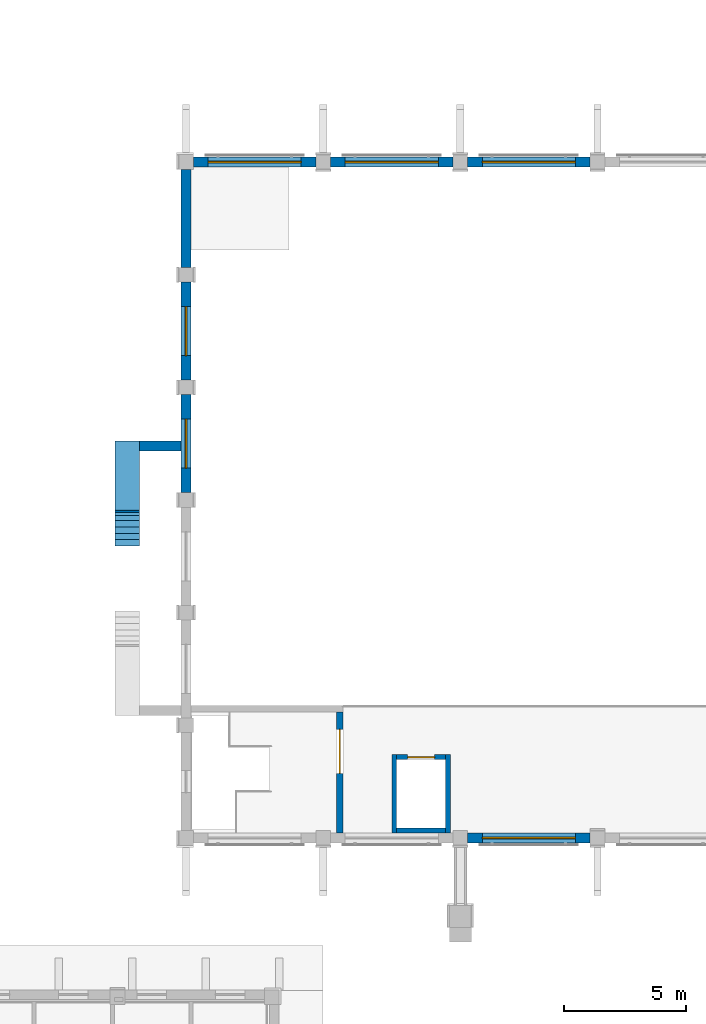
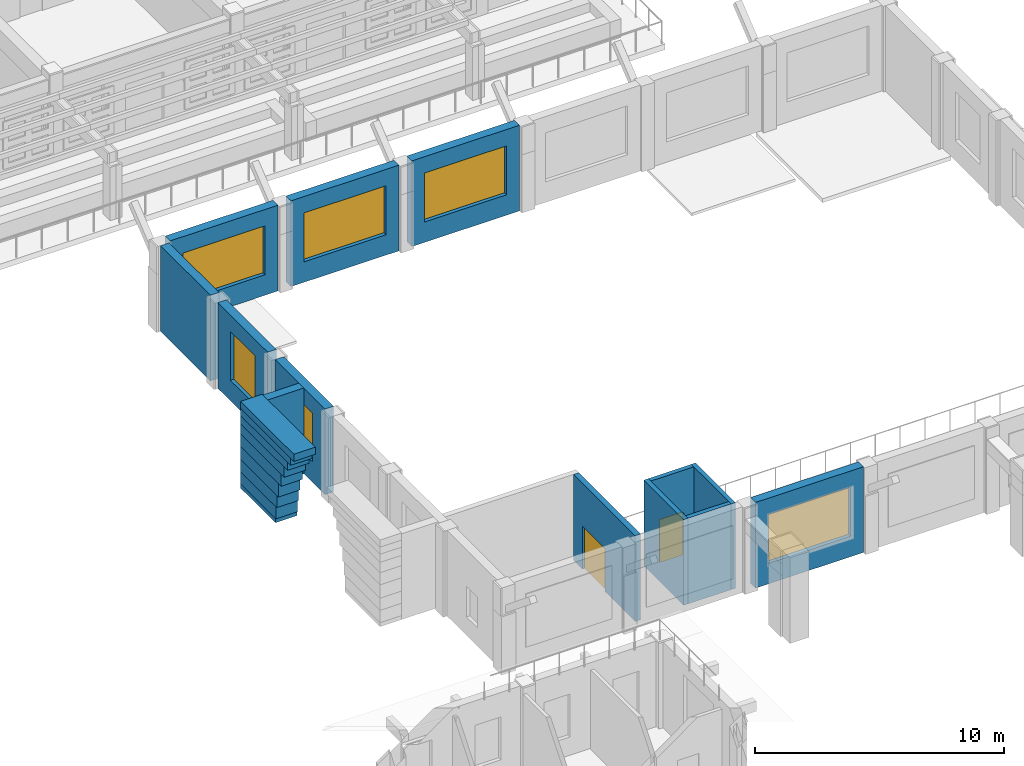
# One storey, part 26 of 68: 22 walls, 6 windows, 2 doors, 8 openings.
"""IFC4 building model written with IfcOpenShell, lengths in metres."""

from ifc_helpers import new_model, si_unit, direction, frame, frame_2d, origin, place, context, subcontext, project, spatial, rectangle, extrude, material, layer, layer_set, type_object, element, fill, save


model = new_model("IFC4")

# Units and contexts
model_context = context("Model", 3, precision=1e-05, world=origin(), true_north=direction((0.0, 1.0)))
body_context = subcontext(model_context, "Body", "Model", "MODEL_VIEW")
ifc_project = project(units=[si_unit("LENGTHUNIT", "METRE"), si_unit("AREAUNIT", "SQUARE_METRE"), si_unit("VOLUMEUNIT", "CUBIC_METRE"), si_unit("PLANEANGLEUNIT", "RADIAN"), si_unit("MASSUNIT", "GRAM", prefix="KILO")], contexts=[model_context])

# Site, building, storey
site_placement = place(None, origin())
site = spatial("IfcSite", under=ifc_project, at=site_placement, CompositionType="ELEMENT")
building_placement = place(site_placement, origin())
building = spatial("IfcBuilding", under=site, at=building_placement, Name="Wasatch Bagh Community Centre", CompositionType="ELEMENT")
storey_placement = place(building_placement, frame((0.0, 0.0, 8.39990234375)))
storey = spatial("IfcBuildingStorey", under=building, at=storey_placement, Name="L02", CompositionType="ELEMENT", Elevation=8.39990234375)

# Walls
ifc_material_1 = material(Name="Concrete C40", Category="concrete")
ifc_layer_1 = layer(ifc_material_1, 0.199951171875)
ifc_layer_set_1 = layer_set([ifc_layer_1], Name="Concrete C40")
wall_type_1 = type_object("IfcWallType", Name="SH RC WALL 200 shear", PredefinedType="SHEAR", material=ifc_layer_set_1)
for number, where, z_axis, x_axis, name in (
    (1, (120.699951171875, 38.39990234375, 0.0), (0.0, 0.0, 1.0), (0.0, 1.0, 0.0), "SH.core.LF1.L02.W"),
    (2, (122.89990234375, 38.39990234375, 0.0), (0.0, 0.0, 1.0), (0.0, 1.0, 0.0), "SH.core.LF1.L02.E"),
):
    element("IfcWall", number, at=place(storey_placement, frame(where, z_axis=z_axis, x_axis=x_axis)), inside=storey, type_object=wall_type_1, Name=name, PredefinedType="SHEAR", context=body_context, shape_type="SweptSolid", body=[
        extrude(rectangle(XDim=3.2001953125, YDim=0.199951171875, at=frame_2d((1.60009765625, 0.0))), origin(), (0.0, 0.0, 1.0), 4.2001953125),
    ])
wall_1_placement = place(storey_placement, frame((120.800048828125, 38.5, 0.0), z_axis=(0.0, 0.0, 1.0), x_axis=(1.0, 0.0, 0.0)))
element("IfcWall", 3, at=wall_1_placement, inside=storey, type_object=wall_type_1, Name="SH.core.LF1.L02.S", PredefinedType="SHEAR", context=body_context, shape_type="SweptSolid", body=[
    extrude(rectangle(XDim=2.0, YDim=0.199951171875, at=frame_2d((1.0, 0.0))), origin(), (0.0, 0.0, 1.0), 4.2001953125),
])

# Wall, opening, door
wall_2_placement = place(storey_placement, frame((120.800048828125, 41.5, 0.0), z_axis=(0.0, 0.0, 1.0), x_axis=(1.0, 0.0, 0.0)))
wall_2 = element("IfcWall", 4, at=wall_2_placement, inside=storey, type_object=wall_type_1, Name="SH.core.LF1.L02.N", PredefinedType="SHEAR", context=body_context, shape_type="SweptSolid", body=[
    extrude(rectangle(XDim=2.0, YDim=0.199951171875, at=frame_2d((1.0, 0.0))), origin(), (0.0, 0.0, 1.0), 4.2001953125),
])
opening_1_placement = place(wall_2_placement, frame((0.449951171875, 0.0, 0.0)))
opening_1 = element("IfcOpeningElement", 5, at=opening_1_placement, cuts=wall_2, Name="Opening 2S-01", PredefinedType="OPENING", context=body_context, shape_type="SweptSolid", body=[
    extrude(rectangle(XDim=1.10009765625, YDim=2.10009765625, at=frame_2d((0.550048828125, 1.050048828125))), frame((0.0, 0.10986328125, 0.0), z_axis=(0.0, -1.0, 0.0), x_axis=(1.0, 0.0, 0.0)), (0.0, 0.0, 1.0), 0.219970703125),
])
ifc_material_2 = material(Name="Stainless steel", Category="steel")
door_type_1 = type_object("IfcDoorType", Name="SH door 1100x2100 landing", OperationType="SLIDING_TO_LEFT", PredefinedType="DOOR", material=ifc_material_2)
door_1_placement = place(opening_1_placement, origin())
door_1 = element("IfcDoor", 6, at=door_1_placement, inside=storey, type_object=door_type_1, Name="SH.door.L02.2S-01", OperationType="SLIDING_TO_LEFT", OverallHeight=2.10009765625, OverallWidth=1.10009765625, PredefinedType="DOOR", context=body_context, shape_type="SweptSolid", body=[
    extrude(rectangle(XDim=1.10009765625, YDim=2.10009765625, at=frame_2d((0.550048828125, 1.050048828125))), frame((0.0, 0.02490234375, 0.0), z_axis=(0.0, -1.0, 0.0), x_axis=(1.0, 0.0, 0.0)), (0.0, 0.0, 1.0), 0.050048828125),
])
fill(opening_1, door_1)

ifc_layer_2 = layer(ifc_material_1, 0.25)
ifc_layer_set_2 = layer_set([ifc_layer_2], Name="Concrete C40")
wall_type_2 = type_object("IfcWallType", Name="SH RC WALL 250 shear", PredefinedType="SHEAR", material=ifc_layer_set_2)
wall_3_placement = place(storey_placement, frame((118.47509765625, 38.39990234375, 0.0), z_axis=(0.0, 0.0, 1.0), x_axis=(0.0, 1.0, 0.0)))
wall_3 = element("IfcWall", 7, at=wall_3_placement, inside=storey, type_object=wall_type_2, Name="SH.core.ST1.L02.E", PredefinedType="SHEAR", context=body_context, shape_type="SweptSolid", body=[
    extrude(rectangle(XDim=4.9501953125, YDim=0.25, at=frame_2d((2.47509765625, 0.0))), origin(), (0.0, 0.0, 1.0), 4.2001953125),
])
opening_2_placement = place(wall_3_placement, frame((2.434326171875, 0.0, 0.0)))
opening_2 = element("IfcOpeningElement", 8, at=opening_2_placement, cuts=wall_3, Name="Opening 2S-02", PredefinedType="OPENING", context=body_context, shape_type="SweptSolid", body=[
    extrude(rectangle(XDim=1.800048828125, YDim=2.10009765625, at=frame_2d((0.89990234375, 1.050048828125))), frame((0.0, 0.135009765625, 0.0), z_axis=(0.0, -1.0, 0.0), x_axis=(1.0, 0.0, 0.0)), (0.0, 0.0, 1.0), 0.27001953125),
])
ifc_material_3 = material(Name="Aluminium frame and glass", Category="aluminium")
door_type_2 = type_object("IfcDoorType", Name="SH door 1800x2100 double", OperationType="DOUBLE_DOOR_SINGLE_SWING", PredefinedType="DOOR", material=ifc_material_3)
door_2_placement = place(opening_2_placement, origin())
door_2 = element("IfcDoor", 9, at=door_2_placement, inside=storey, type_object=door_type_2, Name="SH.door.L02.2S-02", OperationType="DOUBLE_DOOR_SINGLE_SWING", OverallHeight=2.10009765625, OverallWidth=1.800048828125, PredefinedType="DOOR", context=body_context, shape_type="SweptSolid", body=[
    extrude(rectangle(XDim=1.800048828125, YDim=2.10009765625, at=frame_2d((0.89990234375, 1.050048828125))), frame((0.0, 0.02490234375, 0.0), z_axis=(0.0, -1.0, 0.0), x_axis=(1.0, 0.0, 0.0)), (0.0, 0.0, 1.0), 0.050048828125),
])
fill(opening_2, door_2)

# Wall, opening, window
ifc_layer_3 = layer(ifc_material_1, 0.39990234375)
ifc_layer_set_3 = layer_set([ifc_layer_3], Name="Concrete C40")
wall_type_3 = type_object("IfcWallType", Name="SH RC WALL 400 solidwall", PredefinedType="SOLIDWALL", material=ifc_layer_set_3)
wall_4_placement = place(storey_placement, frame((128.699951171875, 38.199951171875, 0.0), z_axis=(0.0, 0.0, 1.0), x_axis=(-1.0, 0.0, 0.0)))
wall_4 = element("IfcWall", 10, at=wall_4_placement, inside=storey, type_object=wall_type_3, Name="SH.wall.L02.03", PredefinedType="SOLIDWALL", context=body_context, shape_type="SweptSolid", body=[
    extrude(rectangle(XDim=5.0, YDim=0.39990234375, at=frame_2d((2.5, 0.0))), origin(), (0.0, 0.0, 1.0), 4.2001953125),
])
opening_3_placement = place(wall_4_placement, frame((0.60009765625, 0.0, 1.0)))
opening_3 = element("IfcOpeningElement", 11, at=opening_3_placement, cuts=wall_4, Name="Opening 2S-W13", PredefinedType="OPENING", context=body_context, shape_type="SweptSolid", body=[
    extrude(rectangle(XDim=3.800048828125, YDim=2.39990234375, at=frame_2d((1.89990234375, 1.199951171875))), frame((0.0, 0.2099609375, 0.0), z_axis=(0.0, -1.0, 0.0), x_axis=(1.0, 0.0, 0.0)), (0.0, 0.0, 1.0), 0.419921875),
])
ifc_material_4 = material(Name="Aluminium frame with double glazing", Category="aluminium")
window_type_1 = type_object("IfcWindowType", Name="SH window 3800x2400", PartitioningType="SINGLE_PANEL", PredefinedType="WINDOW", material=ifc_material_4)
window_1_placement = place(opening_3_placement, origin())
window_1 = element("IfcWindow", 12, at=window_1_placement, inside=storey, type_object=window_type_1, Name="SH.window.L02.2S-W13", OverallHeight=2.39990234375, OverallWidth=3.800048828125, PartitioningType="SINGLE_PANEL", PredefinedType="WINDOW", context=body_context, shape_type="SweptSolid", body=[
    extrude(rectangle(XDim=3.800048828125, YDim=2.39990234375, at=frame_2d((1.89990234375, 1.199951171875))), frame((0.0, 0.030029296875, 0.0), z_axis=(0.0, -1.0, 0.0), x_axis=(1.0, 0.0, 0.0)), (0.0, 0.0, 1.0), 0.06005859375),
])
fill(opening_3, window_1)

wall_5_placement = place(storey_placement, frame((112.5, 65.800048828125, 0.0), z_axis=(0.0, 0.0, 1.0), x_axis=(1.0, 0.0, 0.0)))
wall_5 = element("IfcWall", 13, at=wall_5_placement, inside=storey, type_object=wall_type_3, Name="SH.wall.L02.07", PredefinedType="SOLIDWALL", context=body_context, shape_type="SweptSolid", body=[
    extrude(rectangle(XDim=5.0, YDim=0.39990234375, at=frame_2d((2.5, 0.0))), origin(), (0.0, 0.0, 1.0), 4.2001953125),
])
opening_4_placement = place(wall_5_placement, frame((0.60009765625, 0.0, 1.0)))
opening_4 = element("IfcOpeningElement", 14, at=opening_4_placement, cuts=wall_5, Name="Opening 2S-W17", PredefinedType="OPENING", context=body_context, shape_type="SweptSolid", body=[
    extrude(rectangle(XDim=3.800048828125, YDim=2.39990234375, at=frame_2d((1.89990234375, 1.199951171875))), frame((0.0, 0.2099609375, 0.0), z_axis=(0.0, -1.0, 0.0), x_axis=(1.0, 0.0, 0.0)), (0.0, 0.0, 1.0), 0.419921875),
])
window_2_placement = place(opening_4_placement, origin())
window_2 = element("IfcWindow", 15, at=window_2_placement, inside=storey, type_object=window_type_1, Name="SH.window.L02.2S-W17", OverallHeight=2.39990234375, OverallWidth=3.800048828125, PartitioningType="SINGLE_PANEL", PredefinedType="WINDOW", context=body_context, shape_type="SweptSolid", body=[
    extrude(rectangle(XDim=3.800048828125, YDim=2.39990234375, at=frame_2d((1.89990234375, 1.199951171875))), frame((0.0, 0.030029296875, 0.0), z_axis=(0.0, -1.0, 0.0), x_axis=(1.0, 0.0, 0.0)), (0.0, 0.0, 1.0), 0.06005859375),
])
fill(opening_4, window_2)

wall_6_placement = place(storey_placement, frame((118.10009765625, 65.800048828125, 0.0), z_axis=(0.0, 0.0, 1.0), x_axis=(1.0, 0.0, 0.0)))
wall_6 = element("IfcWall", 16, at=wall_6_placement, inside=storey, type_object=wall_type_3, Name="SH.wall.L02.08", PredefinedType="SOLIDWALL", context=body_context, shape_type="SweptSolid", body=[
    extrude(rectangle(XDim=5.0, YDim=0.39990234375, at=frame_2d((2.5, 0.0))), origin(), (0.0, 0.0, 1.0), 4.2001953125),
])
opening_5_placement = place(wall_6_placement, frame((0.60009765625, 0.0, 1.0)))
opening_5 = element("IfcOpeningElement", 17, at=opening_5_placement, cuts=wall_6, Name="Opening 2S-W18", PredefinedType="OPENING", context=body_context, shape_type="SweptSolid", body=[
    extrude(rectangle(XDim=3.800048828125, YDim=2.39990234375, at=frame_2d((1.89990234375, 1.199951171875))), frame((0.0, 0.2099609375, 0.0), z_axis=(0.0, -1.0, 0.0), x_axis=(1.0, 0.0, 0.0)), (0.0, 0.0, 1.0), 0.419921875),
])
window_3_placement = place(opening_5_placement, origin())
window_3 = element("IfcWindow", 18, at=window_3_placement, inside=storey, type_object=window_type_1, Name="SH.window.L02.2S-W18", OverallHeight=2.39990234375, OverallWidth=3.800048828125, PartitioningType="SINGLE_PANEL", PredefinedType="WINDOW", context=body_context, shape_type="SweptSolid", body=[
    extrude(rectangle(XDim=3.800048828125, YDim=2.39990234375, at=frame_2d((1.89990234375, 1.199951171875))), frame((0.0, 0.030029296875, 0.0), z_axis=(0.0, -1.0, 0.0), x_axis=(1.0, 0.0, 0.0)), (0.0, 0.0, 1.0), 0.06005859375),
])
fill(opening_5, window_3)

wall_7_placement = place(storey_placement, frame((123.699951171875, 65.800048828125, 0.0), z_axis=(0.0, 0.0, 1.0), x_axis=(1.0, 0.0, 0.0)))
wall_7 = element("IfcWall", 19, at=wall_7_placement, inside=storey, type_object=wall_type_3, Name="SH.wall.L02.09", PredefinedType="SOLIDWALL", context=body_context, shape_type="SweptSolid", body=[
    extrude(rectangle(XDim=5.0, YDim=0.39990234375, at=frame_2d((2.5, 0.0))), origin(), (0.0, 0.0, 1.0), 4.2001953125),
])
opening_6_placement = place(wall_7_placement, frame((0.60009765625, 0.0, 1.0)))
opening_6 = element("IfcOpeningElement", 20, at=opening_6_placement, cuts=wall_7, Name="Opening 2S-W19", PredefinedType="OPENING", context=body_context, shape_type="SweptSolid", body=[
    extrude(rectangle(XDim=3.800048828125, YDim=2.39990234375, at=frame_2d((1.89990234375, 1.199951171875))), frame((0.0, 0.2099609375, 0.0), z_axis=(0.0, -1.0, 0.0), x_axis=(1.0, 0.0, 0.0)), (0.0, 0.0, 1.0), 0.419921875),
])
window_4_placement = place(opening_6_placement, origin())
window_4 = element("IfcWindow", 21, at=window_4_placement, inside=storey, type_object=window_type_1, Name="SH.window.L02.2S-W19", OverallHeight=2.39990234375, OverallWidth=3.800048828125, PartitioningType="SINGLE_PANEL", PredefinedType="WINDOW", context=body_context, shape_type="SweptSolid", body=[
    extrude(rectangle(XDim=3.800048828125, YDim=2.39990234375, at=frame_2d((1.89990234375, 1.199951171875))), frame((0.0, 0.030029296875, 0.0), z_axis=(0.0, -1.0, 0.0), x_axis=(1.0, 0.0, 0.0)), (0.0, 0.0, 1.0), 0.06005859375),
])
fill(opening_6, window_4)

wall_8_placement = place(storey_placement, frame((112.199951171875, 52.300048828125, 0.0), z_axis=(0.0, 0.0, 1.0), x_axis=(0.0, 1.0, 0.0)))
wall_8 = element("IfcWall", 22, at=wall_8_placement, inside=storey, type_object=wall_type_3, Name="SH.wall.L02.16", PredefinedType="SOLIDWALL", context=body_context, shape_type="SweptSolid", body=[
    extrude(rectangle(XDim=4.0, YDim=0.39990234375, at=frame_2d((2.0, 0.0))), origin(), (0.0, 0.0, 1.0), 4.2001953125),
])
opening_7_placement = place(wall_8_placement, frame((1.0, 0.0, 1.0)))
opening_7 = element("IfcOpeningElement", 23, at=opening_7_placement, cuts=wall_8, Name="Opening 2S-W05", PredefinedType="OPENING", context=body_context, shape_type="SweptSolid", body=[
    extrude(rectangle(XDim=2.0, YDim=2.39990234375, at=frame_2d((1.0, 1.199951171875))), frame((0.0, 0.2099609375, 0.0), z_axis=(0.0, -1.0, 0.0), x_axis=(1.0, 0.0, 0.0)), (0.0, 0.0, 1.0), 0.419921875),
])
window_type_2 = type_object("IfcWindowType", Name="SH window 2000x2400", PartitioningType="SINGLE_PANEL", PredefinedType="WINDOW", material=ifc_material_4)
window_5_placement = place(opening_7_placement, origin())
window_5 = element("IfcWindow", 24, at=window_5_placement, inside=storey, type_object=window_type_2, Name="SH.window.L02.2S-W05", OverallHeight=2.39990234375, OverallWidth=2.0, PartitioningType="SINGLE_PANEL", PredefinedType="WINDOW", context=body_context, shape_type="SweptSolid", body=[
    extrude(rectangle(XDim=2.0, YDim=2.39990234375, at=frame_2d((1.0, 1.199951171875))), frame((0.0, 0.030029296875, 0.0), z_axis=(0.0, -1.0, 0.0), x_axis=(1.0, 0.0, 0.0)), (0.0, 0.0, 1.0), 0.06005859375),
])
fill(opening_7, window_5)

wall_9_placement = place(storey_placement, frame((112.199951171875, 56.89990234375, 0.0), z_axis=(0.0, 0.0, 1.0), x_axis=(0.0, 1.0, 0.0)))
wall_9 = element("IfcWall", 25, at=wall_9_placement, inside=storey, type_object=wall_type_3, Name="SH.wall.L02.17", PredefinedType="SOLIDWALL", context=body_context, shape_type="SweptSolid", body=[
    extrude(rectangle(XDim=4.0, YDim=0.39990234375, at=frame_2d((2.0, 0.0))), origin(), (0.0, 0.0, 1.0), 4.2001953125),
])
opening_8_placement = place(wall_9_placement, frame((1.0, 0.0, 1.0)))
opening_8 = element("IfcOpeningElement", 26, at=opening_8_placement, cuts=wall_9, Name="Opening 2S-W06", PredefinedType="OPENING", context=body_context, shape_type="SweptSolid", body=[
    extrude(rectangle(XDim=2.0, YDim=2.39990234375, at=frame_2d((1.0, 1.199951171875))), frame((0.0, 0.2099609375, 0.0), z_axis=(0.0, -1.0, 0.0), x_axis=(1.0, 0.0, 0.0)), (0.0, 0.0, 1.0), 0.419921875),
])
window_6_placement = place(opening_8_placement, origin())
window_6 = element("IfcWindow", 27, at=window_6_placement, inside=storey, type_object=window_type_2, Name="SH.window.L02.2S-W06", OverallHeight=2.39990234375, OverallWidth=2.0, PartitioningType="SINGLE_PANEL", PredefinedType="WINDOW", context=body_context, shape_type="SweptSolid", body=[
    extrude(rectangle(XDim=2.0, YDim=2.39990234375, at=frame_2d((1.0, 1.199951171875))), frame((0.0, 0.030029296875, 0.0), z_axis=(0.0, -1.0, 0.0), x_axis=(1.0, 0.0, 0.0)), (0.0, 0.0, 1.0), 0.06005859375),
])
fill(opening_8, window_6)

# Walls
wall_10_placement = place(storey_placement, frame((112.199951171875, 61.5, 0.0), z_axis=(0.0, 0.0, 1.0), x_axis=(0.0, 1.0, 0.0)))
element("IfcWall", 28, at=wall_10_placement, inside=storey, type_object=wall_type_3, Name="SH.wall.L02.18", PredefinedType="SOLIDWALL", context=body_context, shape_type="SweptSolid", body=[
    extrude(rectangle(XDim=4.0, YDim=0.39990234375, at=frame_2d((2.0, 0.0))), origin(), (0.0, 0.0, 1.0), 4.2001953125),
])
ifc_layer_4 = layer(ifc_material_1, 1.0)
ifc_layer_set_4 = layer_set([ifc_layer_4], Name="Concrete C40")
wall_type_4 = type_object("IfcWallType", Name="SHPQ-W4", PredefinedType="STANDARD", material=ifc_layer_set_4)
wall_11_placement = place(storey_placement, frame((109.800048828125, 54.39990234375, 0.0), z_axis=(0.0, 0.0, 1.0), x_axis=(0.0, -1.0, 0.0)))
element("IfcWall", 29, at=wall_11_placement, inside=storey, type_object=wall_type_4, Name="SHPQ-W4 iwan arch spandrel", PredefinedType="STANDARD", context=body_context, shape_type="SweptSolid", body=[
    extrude(rectangle(XDim=2.7998046875, YDim=1.0, at=frame_2d((1.39990234375, 0.0))), origin(), (0.0, 0.0, 1.0), 0.2001953125),
])
wall_12_placement = place(storey_placement, frame((109.800048828125, 54.39990234375, 0.2001953125), z_axis=(0.0, 0.0, 1.0), x_axis=(0.0, -1.0, 0.0)))
element("IfcWall", 30, at=wall_12_placement, inside=storey, type_object=wall_type_4, Name="SHPQ-W4 iwan arch spandrel", PredefinedType="STANDARD", context=body_context, shape_type="SweptSolid", body=[
    extrude(rectangle(XDim=2.82568359375, YDim=1.0, at=frame_2d((1.412841796875, 0.0))), origin(), (0.0, 0.0, 1.0), 0.599853515625),
])
wall_13_placement = place(storey_placement, frame((109.800048828125, 54.39990234375, 0.800048828125), z_axis=(0.0, 0.0, 1.0), x_axis=(0.0, -1.0, 0.0)))
element("IfcWall", 31, at=wall_13_placement, inside=storey, type_object=wall_type_4, Name="SHPQ-W4 iwan arch spandrel", PredefinedType="STANDARD", context=body_context, shape_type="SweptSolid", body=[
    extrude(rectangle(XDim=2.903564453125, YDim=1.0, at=frame_2d((1.45166015625, 0.0))), origin(), (0.0, 0.0, 1.0), 0.60009765625),
])
wall_14_placement = place(storey_placement, frame((109.800048828125, 54.39990234375, 1.400146484375), z_axis=(0.0, 0.0, 1.0), x_axis=(0.0, -1.0, 0.0)))
element("IfcWall", 32, at=wall_14_placement, inside=storey, type_object=wall_type_4, Name="SHPQ-W4 iwan arch spandrel", PredefinedType="STANDARD", context=body_context, shape_type="SweptSolid", body=[
    extrude(rectangle(XDim=3.035400390625, YDim=1.0, at=frame_2d((1.517578125, 0.0))), origin(), (0.0, 0.0, 1.0), 0.64990234375),
])
wall_15_placement = place(storey_placement, frame((109.800048828125, 54.39990234375, 2.050048828125), z_axis=(0.0, 0.0, 1.0), x_axis=(0.0, -1.0, 0.0)))
element("IfcWall", 33, at=wall_15_placement, inside=storey, type_object=wall_type_4, Name="SHPQ-W4 iwan arch spandrel", PredefinedType="STANDARD", context=body_context, shape_type="SweptSolid", body=[
    extrude(rectangle(XDim=3.24267578125, YDim=1.0, at=frame_2d((1.621337890625, 0.0))), origin(), (0.0, 0.0, 1.0), 0.60009765625),
])
wall_16_placement = place(storey_placement, frame((109.800048828125, 54.39990234375, 2.650146484375), z_axis=(0.0, 0.0, 1.0), x_axis=(0.0, -1.0, 0.0)))
element("IfcWall", 34, at=wall_16_placement, inside=storey, type_object=wall_type_4, Name="SHPQ-W4 iwan arch spandrel", PredefinedType="STANDARD", context=body_context, shape_type="SweptSolid", body=[
    extrude(rectangle(XDim=3.499267578125, YDim=1.0, at=frame_2d((1.74951171875, 0.0))), origin(), (0.0, 0.0, 1.0), 0.5),
])
wall_17_placement = place(storey_placement, frame((109.800048828125, 54.39990234375, 3.150146484375), z_axis=(0.0, 0.0, 1.0), x_axis=(0.0, -1.0, 0.0)))
element("IfcWall", 35, at=wall_17_placement, inside=storey, type_object=wall_type_4, Name="SHPQ-W4 iwan arch spandrel", PredefinedType="STANDARD", context=body_context, shape_type="SweptSolid", body=[
    extrude(rectangle(XDim=3.766845703125, YDim=1.0, at=frame_2d((1.88330078125, 0.0))), origin(), (0.0, 0.0, 1.0), 0.39990234375),
])
wall_18_placement = place(storey_placement, frame((109.800048828125, 54.39990234375, 3.550048828125), z_axis=(0.0, 0.0, 1.0), x_axis=(0.0, -1.0, 0.0)))
element("IfcWall", 36, at=wall_18_placement, inside=storey, type_object=wall_type_4, Name="SHPQ-W4 iwan arch spandrel", PredefinedType="STANDARD", context=body_context, shape_type="SweptSolid", body=[
    extrude(rectangle(XDim=4.020751953125, YDim=1.0, at=frame_2d((2.01025390625, 0.0))), origin(), (0.0, 0.0, 1.0), 0.35009765625),
])
wall_19_placement = place(storey_placement, frame((109.800048828125, 54.39990234375, 3.900146484375), z_axis=(0.0, 0.0, 1.0), x_axis=(0.0, -1.0, 0.0)))
element("IfcWall", 37, at=wall_19_placement, inside=storey, type_object=wall_type_4, Name="SHPQ-W4 iwan arch spandrel", PredefinedType="STANDARD", context=body_context, shape_type="SweptSolid", body=[
    extrude(rectangle(XDim=4.2763671875, YDim=1.0, at=frame_2d((2.13818359375, 0.0))), origin(), (0.0, 0.0, 1.0), 0.349853515625),
])
ifc_layer_5 = layer(ifc_material_1, 0.39990234375)
ifc_layer_set_5 = layer_set([ifc_layer_5], Name="Concrete C40")
wall_type_5 = type_object("IfcWallType", Name="SHPQ-W5", PredefinedType="STANDARD", material=ifc_layer_set_5)
wall_20_placement = place(storey_placement, frame((110.300048828125, 54.199951171875, 0.0), z_axis=(0.0, 0.0, 1.0), x_axis=(1.0, 0.0, 0.0)))
element("IfcWall", 38, at=wall_20_placement, inside=storey, type_object=wall_type_5, Name="SHPQ-W5 pishtaq return wall E", PredefinedType="STANDARD", context=body_context, shape_type="SweptSolid", body=[
    extrude(rectangle(XDim=1.699951171875, YDim=0.39990234375, at=frame_2d((0.85009765625, 0.0))), origin(), (0.0, 0.0, 1.0), 4.2001953125),
])

save(model, "model.ifc")
